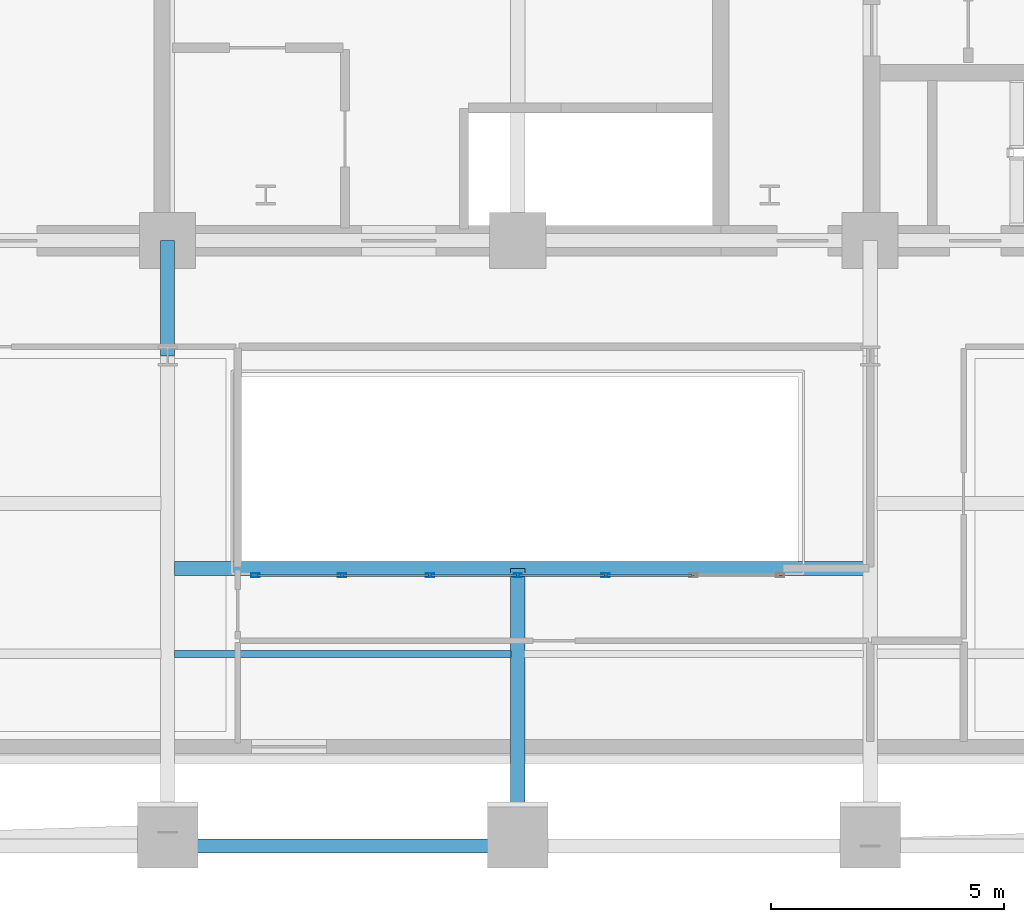
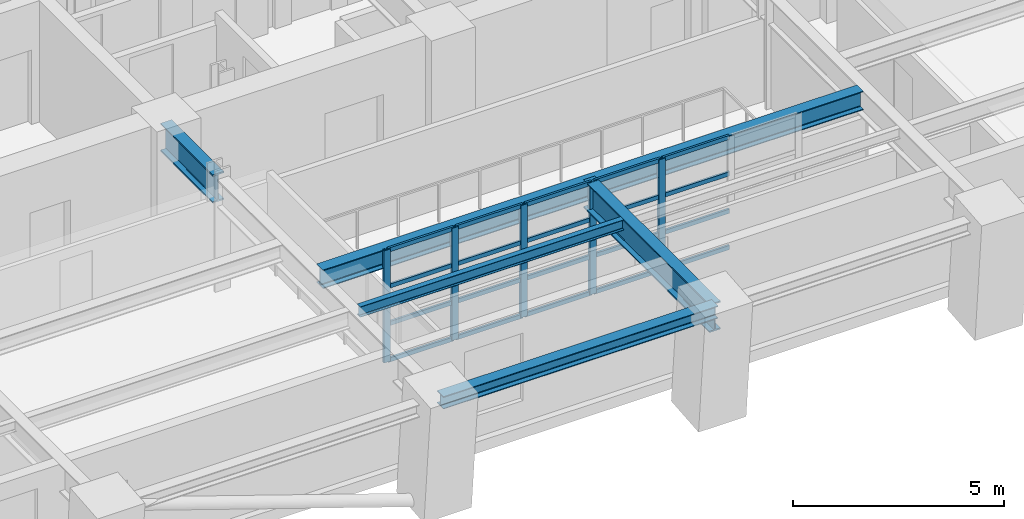
# One storey, part 2 of 14: 25 members, 5 beams, 1 element without a shape of its own.
"""IFC4 building model written with IfcOpenShell, lengths in metres."""

from ifc_helpers import new_model, si_unit, direction, frame, origin, origin_2d, place, context, subcontext, project, spatial, hollow_rectangle, i_section, extrude, material, layer, layer_set, material_profile, profile_set, type_object, element, aggregate, save


model = new_model("IFC4")

# Units and contexts
model_context = context("Model", 3, precision=1e-05, world=origin(), true_north=direction((0.0, 1.0)))
body_context = subcontext(model_context, "Body", "Model", "MODEL_VIEW")
ifc_project = project(units=[si_unit("LENGTHUNIT", "METRE"), si_unit("AREAUNIT", "SQUARE_METRE"), si_unit("VOLUMEUNIT", "CUBIC_METRE"), si_unit("PLANEANGLEUNIT", "RADIAN"), si_unit("MASSUNIT", "GRAM", prefix="KILO")], contexts=[model_context])

# Site, building, storey
site_placement = place(None, origin())
site = spatial("IfcSite", under=ifc_project, at=site_placement, CompositionType="ELEMENT")
building_placement = place(site_placement, origin())
building = spatial("IfcBuilding", under=site, at=building_placement, Name="Zarnavel Station Tower", CompositionType="ELEMENT")
storey_placement = place(building_placement, frame((0.0, 0.0, 122.300048828125)))
storey = spatial("IfcBuildingStorey", under=building, at=storey_placement, Name="L33", CompositionType="ELEMENT", Elevation=122.300048828125)

# Curtain wall, members
ifc_material_1 = material(Name="Aluminium Dark Anodised and Solar-Control Glass", Category="aluminium")
ifc_layer = layer(ifc_material_1, 0.179931640625)
ifc_layer_set = layer_set([ifc_layer], Name="CWS3")
curtain_wall_type = type_object("IfcCurtainWallType", Name="CWS3", PredefinedType="NOTDEFINED", material=ifc_layer_set)
curtain_wall_placement = place(storey_placement, origin())
curtain_wall = element("IfcCurtainWall", 1, at=curtain_wall_placement, inside=storey, type_object=curtain_wall_type, Name="L33 Curtain Wall CWS3-L33-AS", PredefinedType="NOTDEFINED")
ifc_material_2 = material(Name="Steel S355J2 (Black Fluoropolymer Coated)", Category="steel")
ifc_material_profile_1 = material_profile(ifc_material_2, hollow_rectangle(XDim=0.080078125, YDim=0.179931640625, WallThickness=0.00634765625, at=origin_2d()), Name="RHS180x80x6.3")
ifc_profile_set_1 = profile_set([ifc_material_profile_1], Name="Steel S355J2 (Black Fluoropolymer Coated)")
member_type_1 = type_object("IfcMemberType", Name="CWS3_MUL", PredefinedType="MULLION", material=ifc_profile_set_1)
member_1_placement = place(storey_placement, frame((23.179931640625, 20.64990234375, 0.0), z_axis=(0.0, 0.0, 1.0), x_axis=(0.0, 1.0, 0.0)))
member_1 = element("IfcMember", 2, at=member_1_placement, type_object=member_type_1, Name="CW3 mullion 1", PredefinedType="MULLION", context=body_context, shape_type="SweptSolid", body=[
    extrude(hollow_rectangle(XDim=0.080078125, YDim=0.179931640625, WallThickness=0.00634765625, at=origin_2d()), origin(), (0.0, 0.0, 1.0), 3.239990234375),
])
member_2_placement = place(storey_placement, frame((25.033447265625, 20.64990234375, 0.0), z_axis=(0.0, 0.0, 1.0), x_axis=(0.0, 1.0, 0.0)))
member_2 = element("IfcMember", 3, at=member_2_placement, type_object=member_type_1, Name="CW3 mullion 2", PredefinedType="MULLION", context=body_context, shape_type="SweptSolid", body=[
    extrude(hollow_rectangle(XDim=0.080078125, YDim=0.179931640625, WallThickness=0.00634765625, at=origin_2d()), origin(), (0.0, 0.0, 1.0), 3.239990234375),
])
member_3_placement = place(storey_placement, frame((26.916748046875, 20.64990234375, 0.0), z_axis=(0.0, 0.0, 1.0), x_axis=(0.0, 1.0, 0.0)))
member_3 = element("IfcMember", 4, at=member_3_placement, type_object=member_type_1, Name="CW3 mullion 3", PredefinedType="MULLION", context=body_context, shape_type="SweptSolid", body=[
    extrude(hollow_rectangle(XDim=0.080078125, YDim=0.179931640625, WallThickness=0.00634765625, at=origin_2d()), origin(), (0.0, 0.0, 1.0), 3.239990234375),
])
member_4_placement = place(storey_placement, frame((28.800048828125, 20.64990234375, 0.0), z_axis=(0.0, 0.0, 1.0), x_axis=(0.0, 1.0, 0.0)))
member_4 = element("IfcMember", 5, at=member_4_placement, type_object=member_type_1, Name="CW3 mullion 4", PredefinedType="MULLION", context=body_context, shape_type="SweptSolid", body=[
    extrude(hollow_rectangle(XDim=0.080078125, YDim=0.179931640625, WallThickness=0.00634765625, at=origin_2d()), origin(), (0.0, 0.0, 1.0), 3.239990234375),
])
member_5_placement = place(storey_placement, frame((30.683349609375, 20.64990234375, 0.0), z_axis=(0.0, 0.0, 1.0), x_axis=(0.0, 1.0, 0.0)))
member_5 = element("IfcMember", 6, at=member_5_placement, type_object=member_type_1, Name="CW3 mullion 5", PredefinedType="MULLION", context=body_context, shape_type="SweptSolid", body=[
    extrude(hollow_rectangle(XDim=0.080078125, YDim=0.179931640625, WallThickness=0.00634765625, at=origin_2d()), origin(), (0.0, 0.0, 1.0), 3.239990234375),
])
ifc_material_3 = material(Name="Steel S355J2 (Black Fluoropolymer Coated)", Category="steel")
ifc_material_profile_2 = material_profile(ifc_material_3, hollow_rectangle(XDim=0.06005859375, YDim=0.1201171875, WallThickness=0.0048828125, at=origin_2d()), Name="RHS120x60x5")
ifc_profile_set_2 = profile_set([ifc_material_profile_2], Name="Steel S355J2 (Black Fluoropolymer Coated)")
member_type_2 = type_object("IfcMemberType", Name="CWS3_TRN", PredefinedType="USERDEFINED", material=ifc_profile_set_2)
member_6_placement = place(storey_placement, frame((23.2099609375, 20.64990234375, 0.030029296875), z_axis=(1.0, 0.0, 0.0), x_axis=(0.0, 1.0, 0.0)))
member_6 = element("IfcMember", 7, at=member_6_placement, type_object=member_type_2, Name="CW3 transom 1.1", ObjectType="TRANSOM", PredefinedType="USERDEFINED", context=body_context, shape_type="SweptSolid", body=[
    extrude(hollow_rectangle(XDim=0.06005859375, YDim=0.1201171875, WallThickness=0.0048828125, at=origin_2d()), origin(), (0.0, 0.0, 1.0), 1.79345703125),
])
member_7_placement = place(storey_placement, frame((23.2099609375, 20.64990234375, 1.079833984375), z_axis=(1.0, 0.0, 0.0), x_axis=(0.0, 1.0, 0.0)))
member_7 = element("IfcMember", 8, at=member_7_placement, type_object=member_type_2, Name="CW3 transom 1.2", ObjectType="TRANSOM", PredefinedType="USERDEFINED", context=body_context, shape_type="SweptSolid", body=[
    extrude(hollow_rectangle(XDim=0.06005859375, YDim=0.1201171875, WallThickness=0.0048828125, at=origin_2d()), origin(), (0.0, 0.0, 1.0), 1.79345703125),
])
member_8_placement = place(storey_placement, frame((23.2099609375, 20.64990234375, 2.159912109375), z_axis=(1.0, 0.0, 0.0), x_axis=(0.0, 1.0, 0.0)))
member_8 = element("IfcMember", 9, at=member_8_placement, type_object=member_type_2, Name="CW3 transom 1.3", ObjectType="TRANSOM", PredefinedType="USERDEFINED", context=body_context, shape_type="SweptSolid", body=[
    extrude(hollow_rectangle(XDim=0.06005859375, YDim=0.1201171875, WallThickness=0.0048828125, at=origin_2d()), origin(), (0.0, 0.0, 1.0), 1.79345703125),
])
member_9_placement = place(storey_placement, frame((23.2099609375, 20.64990234375, 3.2099609375), z_axis=(1.0, 0.0, 0.0), x_axis=(0.0, 1.0, 0.0)))
member_9 = element("IfcMember", 10, at=member_9_placement, type_object=member_type_2, Name="CW3 transom 1.4", ObjectType="TRANSOM", PredefinedType="USERDEFINED", context=body_context, shape_type="SweptSolid", body=[
    extrude(hollow_rectangle(XDim=0.06005859375, YDim=0.1201171875, WallThickness=0.0048828125, at=origin_2d()), origin(), (0.0, 0.0, 1.0), 1.79345703125),
])
member_10_placement = place(storey_placement, frame((25.063232421875, 20.64990234375, 0.030029296875), z_axis=(1.0, 0.0, 0.0), x_axis=(0.0, 1.0, 0.0)))
member_10 = element("IfcMember", 11, at=member_10_placement, type_object=member_type_2, Name="CW3 transom 2.1", ObjectType="TRANSOM", PredefinedType="USERDEFINED", context=body_context, shape_type="SweptSolid", body=[
    extrude(hollow_rectangle(XDim=0.06005859375, YDim=0.1201171875, WallThickness=0.0048828125, at=origin_2d()), origin(), (0.0, 0.0, 1.0), 1.823486328125),
])
member_11_placement = place(storey_placement, frame((25.063232421875, 20.64990234375, 1.079833984375), z_axis=(1.0, 0.0, 0.0), x_axis=(0.0, 1.0, 0.0)))
member_11 = element("IfcMember", 12, at=member_11_placement, type_object=member_type_2, Name="CW3 transom 2.2", ObjectType="TRANSOM", PredefinedType="USERDEFINED", context=body_context, shape_type="SweptSolid", body=[
    extrude(hollow_rectangle(XDim=0.06005859375, YDim=0.1201171875, WallThickness=0.0048828125, at=origin_2d()), origin(), (0.0, 0.0, 1.0), 1.823486328125),
])
member_12_placement = place(storey_placement, frame((25.063232421875, 20.64990234375, 2.159912109375), z_axis=(1.0, 0.0, 0.0), x_axis=(0.0, 1.0, 0.0)))
member_12 = element("IfcMember", 13, at=member_12_placement, type_object=member_type_2, Name="CW3 transom 2.3", ObjectType="TRANSOM", PredefinedType="USERDEFINED", context=body_context, shape_type="SweptSolid", body=[
    extrude(hollow_rectangle(XDim=0.06005859375, YDim=0.1201171875, WallThickness=0.0048828125, at=origin_2d()), origin(), (0.0, 0.0, 1.0), 1.823486328125),
])
member_13_placement = place(storey_placement, frame((25.063232421875, 20.64990234375, 3.2099609375), z_axis=(1.0, 0.0, 0.0), x_axis=(0.0, 1.0, 0.0)))
member_13 = element("IfcMember", 14, at=member_13_placement, type_object=member_type_2, Name="CW3 transom 2.4", ObjectType="TRANSOM", PredefinedType="USERDEFINED", context=body_context, shape_type="SweptSolid", body=[
    extrude(hollow_rectangle(XDim=0.06005859375, YDim=0.1201171875, WallThickness=0.0048828125, at=origin_2d()), origin(), (0.0, 0.0, 1.0), 1.823486328125),
])
member_14_placement = place(storey_placement, frame((26.94677734375, 20.64990234375, 0.030029296875), z_axis=(1.0, 0.0, 0.0), x_axis=(0.0, 1.0, 0.0)))
member_14 = element("IfcMember", 15, at=member_14_placement, type_object=member_type_2, Name="CW3 transom 3.1", ObjectType="TRANSOM", PredefinedType="USERDEFINED", context=body_context, shape_type="SweptSolid", body=[
    extrude(hollow_rectangle(XDim=0.06005859375, YDim=0.1201171875, WallThickness=0.0048828125, at=origin_2d()), origin(), (0.0, 0.0, 1.0), 1.8232421875),
])
member_15_placement = place(storey_placement, frame((26.94677734375, 20.64990234375, 1.079833984375), z_axis=(1.0, 0.0, 0.0), x_axis=(0.0, 1.0, 0.0)))
member_15 = element("IfcMember", 16, at=member_15_placement, type_object=member_type_2, Name="CW3 transom 3.2", ObjectType="TRANSOM", PredefinedType="USERDEFINED", context=body_context, shape_type="SweptSolid", body=[
    extrude(hollow_rectangle(XDim=0.06005859375, YDim=0.1201171875, WallThickness=0.0048828125, at=origin_2d()), origin(), (0.0, 0.0, 1.0), 1.8232421875),
])
member_16_placement = place(storey_placement, frame((26.94677734375, 20.64990234375, 2.159912109375), z_axis=(1.0, 0.0, 0.0), x_axis=(0.0, 1.0, 0.0)))
member_16 = element("IfcMember", 17, at=member_16_placement, type_object=member_type_2, Name="CW3 transom 3.3", ObjectType="TRANSOM", PredefinedType="USERDEFINED", context=body_context, shape_type="SweptSolid", body=[
    extrude(hollow_rectangle(XDim=0.06005859375, YDim=0.1201171875, WallThickness=0.0048828125, at=origin_2d()), origin(), (0.0, 0.0, 1.0), 1.8232421875),
])
member_17_placement = place(storey_placement, frame((26.94677734375, 20.64990234375, 3.2099609375), z_axis=(1.0, 0.0, 0.0), x_axis=(0.0, 1.0, 0.0)))
member_17 = element("IfcMember", 18, at=member_17_placement, type_object=member_type_2, Name="CW3 transom 3.4", ObjectType="TRANSOM", PredefinedType="USERDEFINED", context=body_context, shape_type="SweptSolid", body=[
    extrude(hollow_rectangle(XDim=0.06005859375, YDim=0.1201171875, WallThickness=0.0048828125, at=origin_2d()), origin(), (0.0, 0.0, 1.0), 1.8232421875),
])
member_18_placement = place(storey_placement, frame((28.830078125, 20.64990234375, 0.030029296875), z_axis=(1.0, 0.0, 0.0), x_axis=(0.0, 1.0, 0.0)))
member_18 = element("IfcMember", 19, at=member_18_placement, type_object=member_type_2, Name="CW3 transom 4.1", ObjectType="TRANSOM", PredefinedType="USERDEFINED", context=body_context, shape_type="SweptSolid", body=[
    extrude(hollow_rectangle(XDim=0.06005859375, YDim=0.1201171875, WallThickness=0.0048828125, at=origin_2d()), origin(), (0.0, 0.0, 1.0), 1.8232421875),
])
member_19_placement = place(storey_placement, frame((28.830078125, 20.64990234375, 1.079833984375), z_axis=(1.0, 0.0, 0.0), x_axis=(0.0, 1.0, 0.0)))
member_19 = element("IfcMember", 20, at=member_19_placement, type_object=member_type_2, Name="CW3 transom 4.2", ObjectType="TRANSOM", PredefinedType="USERDEFINED", context=body_context, shape_type="SweptSolid", body=[
    extrude(hollow_rectangle(XDim=0.06005859375, YDim=0.1201171875, WallThickness=0.0048828125, at=origin_2d()), origin(), (0.0, 0.0, 1.0), 1.8232421875),
])
member_20_placement = place(storey_placement, frame((28.830078125, 20.64990234375, 2.159912109375), z_axis=(1.0, 0.0, 0.0), x_axis=(0.0, 1.0, 0.0)))
member_20 = element("IfcMember", 21, at=member_20_placement, type_object=member_type_2, Name="CW3 transom 4.3", ObjectType="TRANSOM", PredefinedType="USERDEFINED", context=body_context, shape_type="SweptSolid", body=[
    extrude(hollow_rectangle(XDim=0.06005859375, YDim=0.1201171875, WallThickness=0.0048828125, at=origin_2d()), origin(), (0.0, 0.0, 1.0), 1.8232421875),
])
member_21_placement = place(storey_placement, frame((28.830078125, 20.64990234375, 3.2099609375), z_axis=(1.0, 0.0, 0.0), x_axis=(0.0, 1.0, 0.0)))
member_21 = element("IfcMember", 22, at=member_21_placement, type_object=member_type_2, Name="CW3 transom 4.4", ObjectType="TRANSOM", PredefinedType="USERDEFINED", context=body_context, shape_type="SweptSolid", body=[
    extrude(hollow_rectangle(XDim=0.06005859375, YDim=0.1201171875, WallThickness=0.0048828125, at=origin_2d()), origin(), (0.0, 0.0, 1.0), 1.8232421875),
])
member_22_placement = place(storey_placement, frame((30.71337890625, 20.64990234375, 0.030029296875), z_axis=(1.0, 0.0, 0.0), x_axis=(0.0, 1.0, 0.0)))
member_22 = element("IfcMember", 23, at=member_22_placement, type_object=member_type_2, Name="CW3 transom 5.1", ObjectType="TRANSOM", PredefinedType="USERDEFINED", context=body_context, shape_type="SweptSolid", body=[
    extrude(hollow_rectangle(XDim=0.06005859375, YDim=0.1201171875, WallThickness=0.0048828125, at=origin_2d()), origin(), (0.0, 0.0, 1.0), 1.8232421875),
])
member_23_placement = place(storey_placement, frame((30.71337890625, 20.64990234375, 1.079833984375), z_axis=(1.0, 0.0, 0.0), x_axis=(0.0, 1.0, 0.0)))
member_23 = element("IfcMember", 24, at=member_23_placement, type_object=member_type_2, Name="CW3 transom 5.2", ObjectType="TRANSOM", PredefinedType="USERDEFINED", context=body_context, shape_type="SweptSolid", body=[
    extrude(hollow_rectangle(XDim=0.06005859375, YDim=0.1201171875, WallThickness=0.0048828125, at=origin_2d()), origin(), (0.0, 0.0, 1.0), 1.8232421875),
])
member_24_placement = place(storey_placement, frame((30.71337890625, 20.64990234375, 2.159912109375), z_axis=(1.0, 0.0, 0.0), x_axis=(0.0, 1.0, 0.0)))
member_24 = element("IfcMember", 25, at=member_24_placement, type_object=member_type_2, Name="CW3 transom 5.3", ObjectType="TRANSOM", PredefinedType="USERDEFINED", context=body_context, shape_type="SweptSolid", body=[
    extrude(hollow_rectangle(XDim=0.06005859375, YDim=0.1201171875, WallThickness=0.0048828125, at=origin_2d()), origin(), (0.0, 0.0, 1.0), 1.8232421875),
])
member_25_placement = place(storey_placement, frame((30.71337890625, 20.64990234375, 3.2099609375), z_axis=(1.0, 0.0, 0.0), x_axis=(0.0, 1.0, 0.0)))
member_25 = element("IfcMember", 26, at=member_25_placement, type_object=member_type_2, Name="CW3 transom 5.4", ObjectType="TRANSOM", PredefinedType="USERDEFINED", context=body_context, shape_type="SweptSolid", body=[
    extrude(hollow_rectangle(XDim=0.06005859375, YDim=0.1201171875, WallThickness=0.0048828125, at=origin_2d()), origin(), (0.0, 0.0, 1.0), 1.8232421875),
])
aggregate(curtain_wall, [member_1, member_2, member_3, member_4, member_5, member_6, member_7, member_8, member_9, member_10, member_11, member_12, member_13, member_14, member_15, member_16, member_17, member_18, member_19, member_20, member_21, member_22, member_23, member_24, member_25])

# Beams
ifc_material_4 = material(Name="Steel S355J2", Category="steel")
ifc_material_profile_3 = material_profile(ifc_material_4, i_section(OverallWidth=0.300048828125, OverallDepth=0.360107421875, WebThickness=0.012451171875, FlangeThickness=0.0224609375, FilletRadius=0.027099609375, at=origin_2d()), Name="HEB360")
ifc_profile_set_3 = profile_set([ifc_material_profile_3], Name="Steel S355J2")
beam_type_1 = type_object("IfcBeamType", Name="EB_HEB360", PredefinedType="SPANDREL", material=ifc_profile_set_3)
beam_1_placement = place(storey_placement, frame((21.300048828125, 14.8515625, 3.06005859375), z_axis=(1.0, 0.0, 0.0), x_axis=(0.0, 1.0, 0.0)))
element("IfcBeam", 27, at=beam_1_placement, inside=storey, type_object=beam_type_1, Name="L33 South Raked Spandrel 2", PredefinedType="SPANDREL", context=body_context, shape_type="SweptSolid", body=[
    extrude(i_section(OverallWidth=0.300048828125, OverallDepth=0.360107421875, WebThickness=0.012451171875, FlangeThickness=0.0224609375, FilletRadius=0.027099609375, at=origin_2d()), origin(), (0.0, 0.0, 1.0), 7.5),
])
ifc_material_5 = material(Name="Steel S355J2", Category="steel")
ifc_material_profile_4 = material_profile(ifc_material_5, i_section(OverallWidth=0.300048828125, OverallDepth=0.5400390625, WebThickness=0.012451171875, FlangeThickness=0.02392578125, FilletRadius=0.027099609375, at=origin_2d()), Name="HEA550")
ifc_profile_set_4 = profile_set([ifc_material_profile_4], Name="Steel S355J2")
beam_type_2 = type_object("IfcBeamType", Name="FB_HEA550", PredefinedType="BEAM", material=ifc_profile_set_4)
beam_2_placement = place(storey_placement, frame((21.445068359375, 20.800048828125, 2.969970703125), z_axis=(1.0, 0.0, 0.0), x_axis=(0.0, 1.0, 0.0)))
element("IfcBeam", 28, at=beam_2_placement, inside=storey, type_object=beam_type_2, Name="L33 Atrium South Edge Girder", PredefinedType="BEAM", context=body_context, shape_type="SweptSolid", body=[
    extrude(i_section(OverallWidth=0.300048828125, OverallDepth=0.5400390625, WebThickness=0.012451171875, FlangeThickness=0.02392578125, FilletRadius=0.027099609375, at=origin_2d()), origin(), (0.0, 0.0, 1.0), 14.760009765625),
])
ifc_material_6 = material(Name="Steel S460M", Category="steel")
ifc_material_profile_5 = material_profile(ifc_material_6, i_section(OverallWidth=0.302978515625, OverallDepth=0.81396484375, WebThickness=0.02099609375, FlangeThickness=0.0400390625, FilletRadius=0.030029296875, at=origin_2d()), Name="HEM800")
ifc_profile_set_5 = profile_set([ifc_material_profile_5], Name="Steel S460M")
beam_type_3 = type_object("IfcBeamType", Name="FG_HEM800", PredefinedType="USERDEFINED", material=ifc_profile_set_5)
beam_3_placement = place(storey_placement, frame((21.300048828125, 25.35009765625, 2.8330078125), z_axis=(0.0, 1.0, 0.0), x_axis=(-1.0, 0.0, 0.0)))
element("IfcBeam", 29, at=beam_3_placement, inside=storey, type_object=beam_type_3, Name="L33 Inner-Zone NS Girder 2", ObjectType="GIRDER", PredefinedType="USERDEFINED", context=body_context, shape_type="SweptSolid", body=[
    extrude(i_section(OverallWidth=0.302978515625, OverallDepth=0.81396484375, WebThickness=0.02099609375, FlangeThickness=0.0400390625, FilletRadius=0.030029296875, at=origin_2d()), origin(), (0.0, 0.0, 1.0), 2.469970703125),
])
beam_4_placement = place(storey_placement, frame((28.800048828125, 14.8515625, 2.8330078125), z_axis=(0.0, 1.0, 0.0), x_axis=(-1.0, 0.0, 0.0)))
element("IfcBeam", 30, at=beam_4_placement, inside=storey, type_object=beam_type_3, Name="L33 Central Atrium-South Girder", ObjectType="GIRDER", PredefinedType="USERDEFINED", context=body_context, shape_type="SweptSolid", body=[
    extrude(i_section(OverallWidth=0.302978515625, OverallDepth=0.81396484375, WebThickness=0.02099609375, FlangeThickness=0.0400390625, FilletRadius=0.030029296875, at=origin_2d()), origin(), (0.0, 0.0, 1.0), 5.948486328125),
])
ifc_material_7 = material(Name="Steel S355J2", Category="steel")
ifc_material_profile_6 = material_profile(ifc_material_7, i_section(OverallWidth=0.14990234375, OverallDepth=0.300048828125, WebThickness=0.007080078125, FlangeThickness=0.0107421875, FilletRadius=0.014892578125, at=origin_2d()), Name="IPE300")
ifc_profile_set_6 = profile_set([ifc_material_profile_6], Name="Steel S355J2")
beam_type_4 = type_object("IfcBeamType", Name="FJ_IPE300", PredefinedType="JOIST", material=ifc_profile_set_6)
beam_5_placement = place(storey_placement, frame((21.445068359375, 18.9677734375, 3.08984375), z_axis=(1.0, 0.0, 0.0), x_axis=(0.0, 1.0, 0.0)))
element("IfcBeam", 31, at=beam_5_placement, inside=storey, type_object=beam_type_4, Name="L33 Mid-West Joist 1", PredefinedType="JOIST", context=body_context, shape_type="SweptSolid", body=[
    extrude(i_section(OverallWidth=0.14990234375, OverallDepth=0.300048828125, WebThickness=0.007080078125, FlangeThickness=0.0107421875, FilletRadius=0.014892578125, at=origin_2d()), origin(), (0.0, 0.0, 1.0), 7.2099609375),
])

save(model, "model.ifc")
